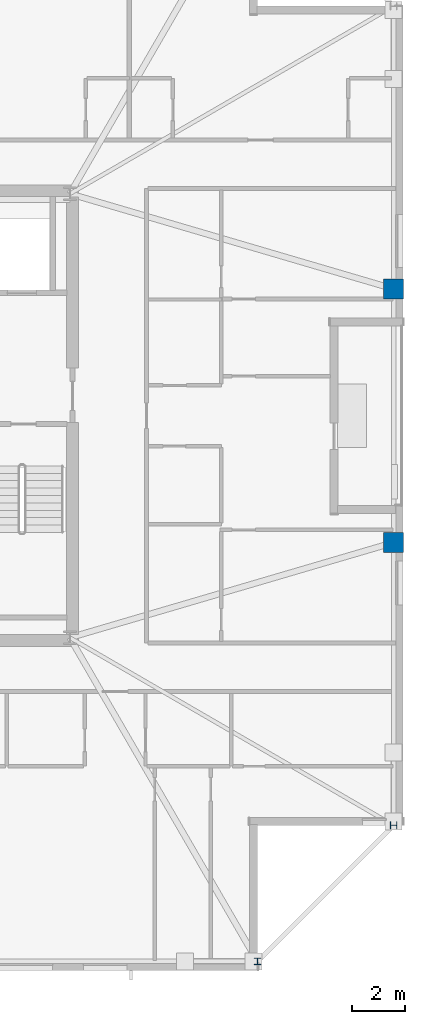
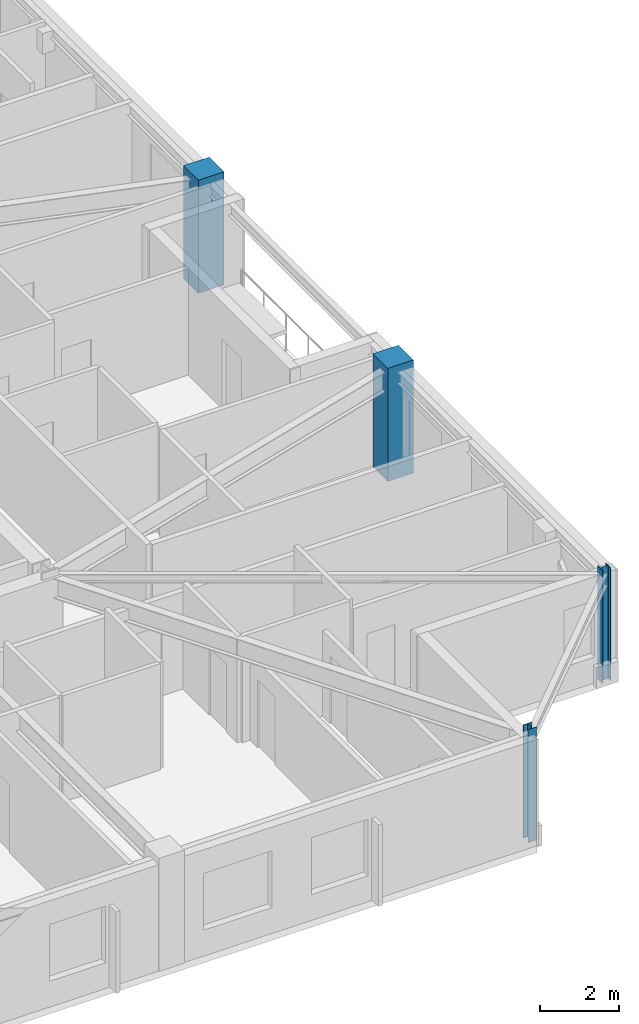
# One storey, part 3 of 15: 4 columns.
"""IFC4 building model written with IfcOpenShell, lengths in metres."""

from ifc_helpers import new_model, si_unit, direction, frame, origin, origin_2d, place, context, subcontext, project, spatial, rectangle, i_section, extrude, material, material_profile, profile_set, type_object, element, save


model = new_model("IFC4")

# Units and contexts
model_context = context("Model", 3, precision=1e-05, world=origin(), true_north=direction((0.0, 1.0)))
body_context = subcontext(model_context, "Body", "Model", "MODEL_VIEW")
ifc_project = project(units=[si_unit("LENGTHUNIT", "METRE"), si_unit("AREAUNIT", "SQUARE_METRE"), si_unit("VOLUMEUNIT", "CUBIC_METRE"), si_unit("PLANEANGLEUNIT", "RADIAN"), si_unit("MASSUNIT", "GRAM", prefix="KILO")], contexts=[model_context])

# Site, building, storey
site_placement = place(None, origin())
site = spatial("IfcSite", under=ifc_project, at=site_placement, CompositionType="ELEMENT")
building_placement = place(site_placement, origin())
building = spatial("IfcBuilding", under=site, at=building_placement, Name="Cairnveth Concourse Tower", CompositionType="ELEMENT")
storey_placement = place(building_placement, frame((0.0, 0.0, 305.0)))
storey = spatial("IfcBuildingStorey", under=building, at=storey_placement, Name="L84", CompositionType="ELEMENT", Elevation=305.0)

# Columns
ifc_material_1 = material(Name="Concrete N50 (50 MPa)", Category="concrete")
ifc_material_profile_1 = material_profile(ifc_material_1, rectangle(XDim=0.75, YDim=0.75, at=origin_2d()), Name="RC-COL-750x750")
ifc_profile_set_1 = profile_set([ifc_material_profile_1], Name="Concrete N50 (50 MPa)")
column_type_1 = type_object("IfcColumnType", Name="PERIMETER PIER COLUMN 750X750", PredefinedType="COLUMN", material=ifc_profile_set_1)
for number, where, z_axis, x_axis, name in (
    (1, (72.64990234375, 34.199951171875, 0.0), (0.0, 0.0, 1.0), (0.0, 1.0, 0.0), "Column P-E2 L84"),
    (2, (72.64990234375, 43.800048828125, 0.0), (0.0, 0.0, 1.0), (0.0, 1.0, 0.0), "Column P-E3 L84"),
):
    element("IfcColumn", number, at=place(storey_placement, frame(where, z_axis=z_axis, x_axis=x_axis)), inside=storey, type_object=column_type_1, Name=name, PredefinedType="COLUMN", context=body_context, shape_type="SweptSolid", body=[
        extrude(rectangle(XDim=0.75, YDim=0.75, at=origin_2d()), origin(), (0.0, 0.0, 1.0), 3.5),
    ])
ifc_material_2 = material(Name="Steel Grade 350", Category="steel")
ifc_material_profile_2 = material_profile(ifc_material_2, i_section(OverallWidth=0.25390625, OverallDepth=0.25390625, WebThickness=0.008544921875, FlangeThickness=0.01416015625, FilletRadius=0.012939453125, at=origin_2d()), Name="250UC72.9")
ifc_profile_set_2 = profile_set([ifc_material_profile_2], Name="Steel Grade 350")
column_type_2 = type_object("IfcColumnType", Name="UNIVERSAL STEEL COLUMN 250UC72.9", PredefinedType="COLUMN", material=ifc_profile_set_2)
for number, where, z_axis, x_axis, name in (
    (3, (67.5, 18.35009765625, 0.0), (0.0, 0.0, 1.0), (1.0, 0.0, 0.0), "Column P-S4 L84"),
    (4, (72.64990234375, 23.5, 0.0), (0.0, 0.0, 1.0), (0.0, 1.0, 0.0), "Column P-E1 L84"),
):
    element("IfcColumn", number, at=place(storey_placement, frame(where, z_axis=z_axis, x_axis=x_axis)), inside=storey, type_object=column_type_2, Name=name, PredefinedType="COLUMN", context=body_context, shape_type="SweptSolid", body=[
        extrude(i_section(OverallWidth=0.25390625, OverallDepth=0.25390625, WebThickness=0.008544921875, FlangeThickness=0.01416015625, FilletRadius=0.012939453125, at=origin_2d()), origin(), (0.0, 0.0, 1.0), 3.5),
    ])

save(model, "model.ifc")
